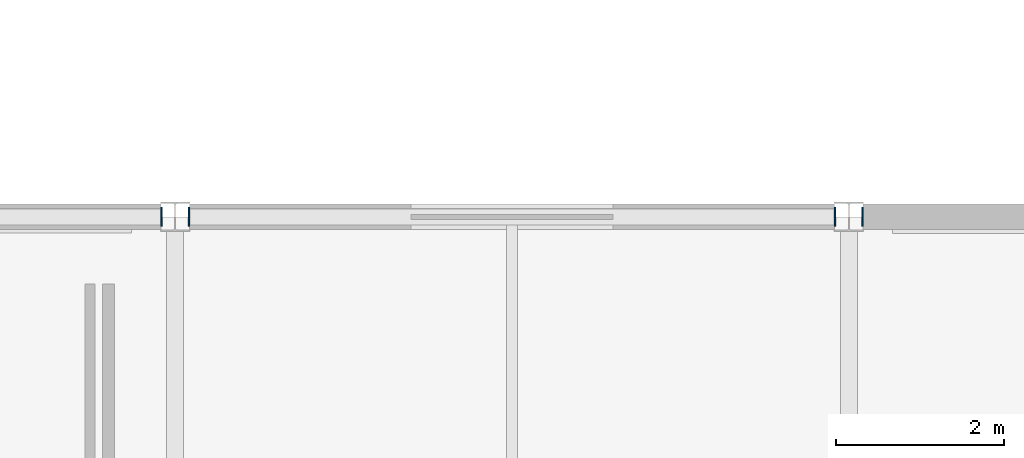
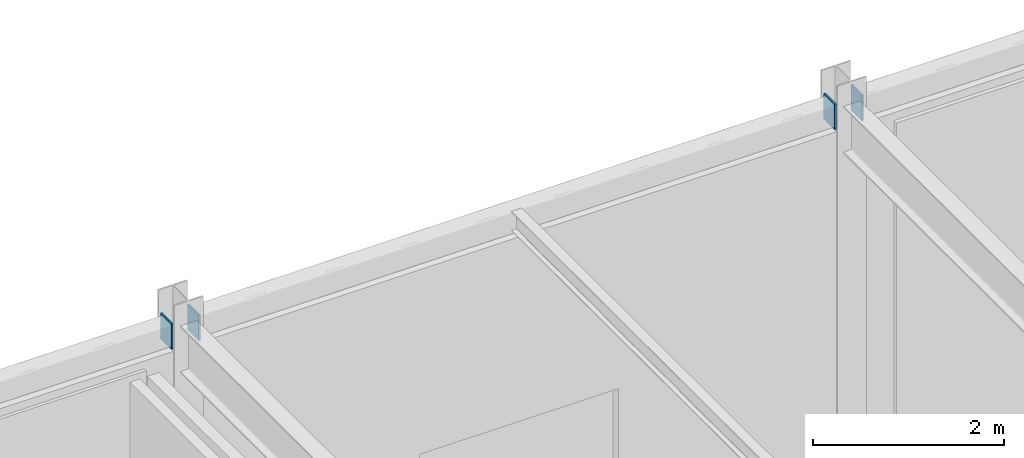
# One storey, part 144 of 184: 4 plates.
"""IFC4 building model written with IfcOpenShell, lengths in metres."""

from ifc_helpers import new_model, si_unit, direction, frame, origin, origin_2d, place, context, subcontext, project, spatial, rectangle, extrude, material, layer, layer_set, type_object, element, save


model = new_model("IFC4")

# Units and contexts
model_context = context("Model", 3, precision=1e-05, world=origin(), true_north=direction((0.0, 1.0)))
body_context = subcontext(model_context, "Body", "Model", "MODEL_VIEW")
ifc_project = project(units=[si_unit("LENGTHUNIT", "METRE"), si_unit("AREAUNIT", "SQUARE_METRE"), si_unit("VOLUMEUNIT", "CUBIC_METRE"), si_unit("PLANEANGLEUNIT", "RADIAN"), si_unit("MASSUNIT", "GRAM", prefix="KILO")], contexts=[model_context])

# Site, building, storey
site_placement = place(None, origin())
site = spatial("IfcSite", under=ifc_project, at=site_placement, CompositionType="ELEMENT")
building_placement = place(site_placement, origin())
building = spatial("IfcBuilding", under=site, at=building_placement, Name="Zhaolan Boulevard Law Courts", CompositionType="ELEMENT")
storey_placement = place(building_placement, frame((0.0, 0.0, 5.39990234375)))
storey = spatial("IfcBuildingStorey", under=building, at=storey_placement, Name="L01", CompositionType="ELEMENT", Elevation=5.39990234375)

# Plates
ifc_material = material(Name="Structural steel Q355B", Category="steel")
ifc_layer = layer(ifc_material, 0.02001953125)
ifc_layer_set = layer_set([ifc_layer])
plate_type = type_object("IfcPlateType", Name="END CAP PLATE 20", PredefinedType="SHEET", material=ifc_layer_set)
for number, where, z_axis, x_axis, name in (
    (1, (115.8369140625, 94.0, 4.802978515625), (0.0, 0.0, 1.0), (1.0, 0.0, 0.0), "Hollow Section End-Cap Plate ECP-0840"),
    (2, (116.1630859375, 94.0, 4.802978515625), (0.0, 0.0, 1.0), (1.0, 0.0, 0.0), "Hollow Section End-Cap Plate ECP-0841"),
    (3, (123.8369140625, 94.0, 4.802978515625), (0.0, 0.0, 1.0), (1.0, 0.0, 0.0), "Hollow Section End-Cap Plate ECP-0842"),
    (4, (124.1630859375, 94.0, 4.802978515625), (0.0, 0.0, 1.0), (1.0, 0.0, 0.0), "Hollow Section End-Cap Plate ECP-0843"),
):
    element("IfcPlate", number, at=place(storey_placement, frame(where, z_axis=z_axis, x_axis=x_axis)), inside=storey, type_object=plate_type, Name=name, PredefinedType="SHEET", context=body_context, shape_type="SweptSolid", body=[
        extrude(rectangle(XDim=0.02001953125, YDim=0.22998046875, at=origin_2d()), origin(), (0.0, 0.0, 1.0), 0.330078125),
    ])

save(model, "model.ifc")
